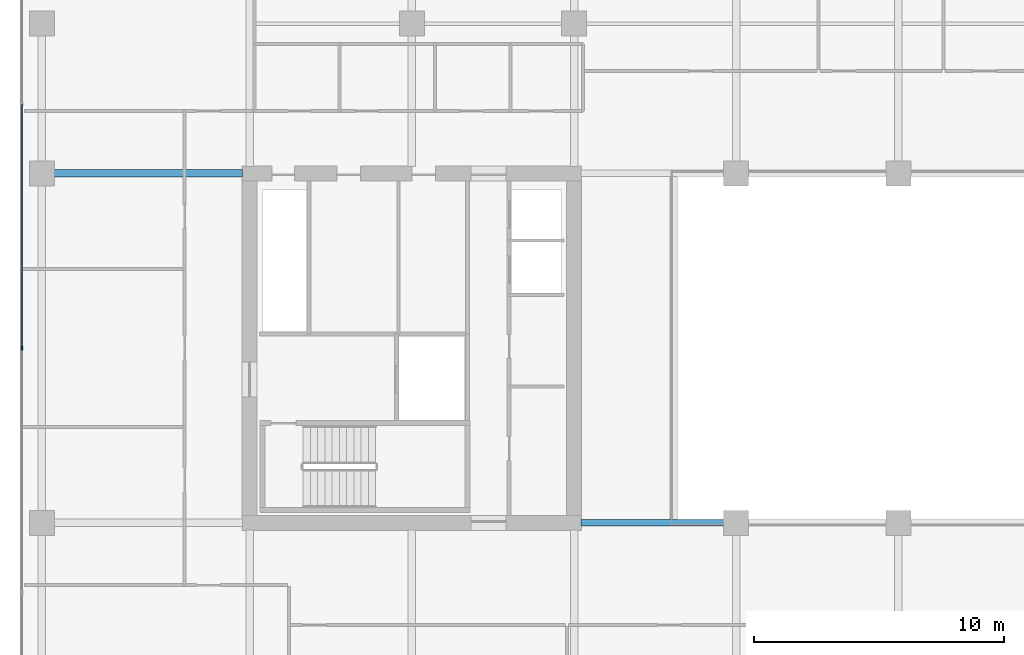
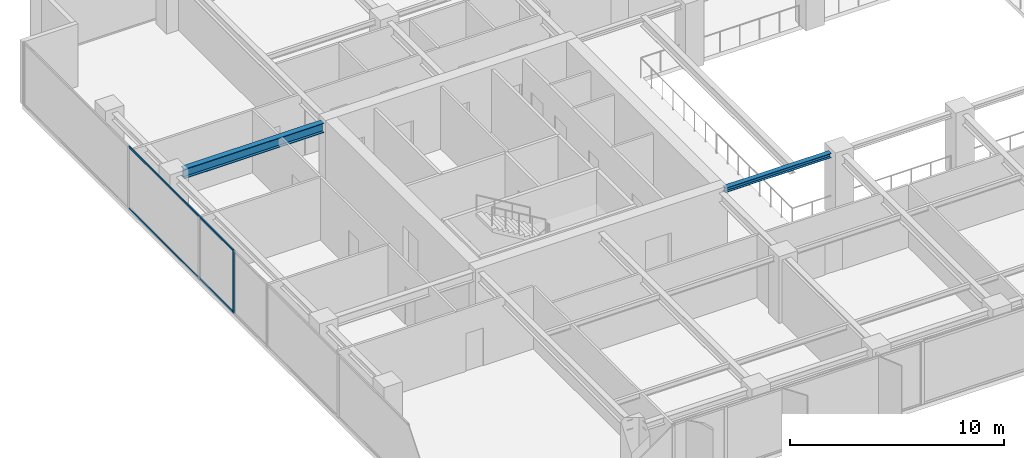
# One storey, part 4 of 22: 3 members, 2 beams, 1 element without a shape of its own.
"""IFC4 building model written with IfcOpenShell, lengths in metres."""

from ifc_helpers import new_model, si_unit, direction, frame, origin, origin_2d, place, context, subcontext, project, spatial, rectangle, i_section, extrude, material, layer, layer_set, material_profile, profile_set, type_object, element, aggregate, save


model = new_model("IFC4")

# Units and contexts
model_context = context("Model", 3, precision=1e-05, world=origin(), true_north=direction((0.0, 1.0)))
body_context = subcontext(model_context, "Body", "Model", "MODEL_VIEW")
ifc_project = project(units=[si_unit("LENGTHUNIT", "METRE"), si_unit("AREAUNIT", "SQUARE_METRE"), si_unit("VOLUMEUNIT", "CUBIC_METRE"), si_unit("PLANEANGLEUNIT", "RADIAN"), si_unit("MASSUNIT", "GRAM", prefix="KILO")], contexts=[model_context])

# Site, building, storey
site_placement = place(None, origin())
site = spatial("IfcSite", under=ifc_project, at=site_placement, CompositionType="ELEMENT")
building_placement = place(site_placement, origin())
building = spatial("IfcBuilding", under=site, at=building_placement, Name="Putna Gate Headquarters", CompositionType="ELEMENT")
storey_placement = place(building_placement, frame((0.0, 0.0, 186.0)))
storey = spatial("IfcBuildingStorey", under=building, at=storey_placement, Name="L46", CompositionType="ELEMENT", Elevation=186.0)

# Beams
ifc_material_1 = material(Name="Steel S355J2", Category="steel")
ifc_material_profile_1 = material_profile(ifc_material_1, i_section(OverallWidth=0.260009765625, OverallDepth=0.260009765625, WebThickness=0.010009765625, FlangeThickness=0.017578125, at=origin_2d()), Name="Steel S355J2")
ifc_profile_set_1 = profile_set([ifc_material_profile_1], Name="Steel S355J2")
beam_type_1 = type_object("IfcBeamType", Name="BM-ATRIUM-HEB260", PredefinedType="BEAM", material=ifc_profile_set_1)
beam_1_placement = place(storey_placement, frame((26.284912109375, 19.0, 3.44189453125), z_axis=(1.0, 0.0, 0.0), x_axis=(0.0, 1.0, 0.0)))
element("IfcBeam", 1, at=beam_1_placement, inside=storey, type_object=beam_type_1, Name="L46 Atrium Edge Beam AS1", PredefinedType="BEAM", context=body_context, shape_type="SweptSolid", body=[
    extrude(i_section(OverallWidth=0.260009765625, OverallDepth=0.260009765625, WebThickness=0.010009765625, FlangeThickness=0.017578125, at=origin_2d()), origin(), (0.0, 0.0, 1.0), 5.72705078125),
])
ifc_material_profile_2 = material_profile(ifc_material_1, i_section(OverallWidth=0.300048828125, OverallDepth=0.550048828125, WebThickness=0.014892578125, FlangeThickness=0.029052734375, at=origin_2d()), Name="Steel S355J2")
ifc_profile_set_2 = profile_set([ifc_material_profile_2], Name="Steel S355J2")
beam_type_2 = type_object("IfcBeamType", Name="BM-GIRD-Z3-HEB550", PredefinedType="USERDEFINED", material=ifc_profile_set_2)
beam_2_placement = place(storey_placement, frame((5.16796875, 33.0, 3.297119140625), z_axis=(1.0, 0.0, 0.0), x_axis=(0.0, 1.0, 0.0)))
element("IfcBeam", 2, at=beam_2_placement, inside=storey, type_object=beam_type_2, Name="L46 West Wing Girder Y33", ObjectType="GIRDER", PredefinedType="USERDEFINED", context=body_context, shape_type="SweptSolid", body=[
    extrude(i_section(OverallWidth=0.300048828125, OverallDepth=0.550048828125, WebThickness=0.014892578125, FlangeThickness=0.029052734375, at=origin_2d()), origin(), (0.0, 0.0, 1.0), 7.547119140625),
])

# Curtain wall, members
ifc_material_2 = material(Name="Anodised bronze aluminium curtain wall", Category="aluminium")
ifc_layer = layer(ifc_material_2, 0.159912109375)
ifc_layer_set = layer_set([ifc_layer], Name="Anodised bronze aluminium curtain wall")
curtain_wall_type = type_object("IfcCurtainWallType", Name="CW-SYS-Z3", PredefinedType="USERDEFINED", material=ifc_layer_set)
curtain_wall_placement = place(storey_placement, origin())
curtain_wall = element("IfcCurtainWall", 3, at=curtain_wall_placement, inside=storey, type_object=curtain_wall_type, Name="L46 West Curtain Wall", ObjectType="STICK CURTAIN WALL", PredefinedType="USERDEFINED")
ifc_material_3 = material(Name="Anodised bronze aluminium EN AW-6060", Category="aluminium")
ifc_material_profile_3 = material_profile(ifc_material_3, rectangle(XDim=0.06494140625, YDim=0.159912109375, at=origin_2d()), Name="Anodised bronze aluminium EN AW-6060")
ifc_profile_set_3 = profile_set([ifc_material_profile_3], Name="Anodised bronze aluminium EN AW-6060")
member_type_1 = type_object("IfcMemberType", Name="MULL-CWM-3", PredefinedType="MULLION", material=ifc_profile_set_3)
member_1_placement = place(storey_placement, frame((3.8798828125, 26.0, 0.0), z_axis=(0.0, 0.0, 1.0), x_axis=(-1.0, 0.0, 0.0)))
member_1 = element("IfcMember", 4, at=member_1_placement, type_object=member_type_1, Name="CWS-3 mullion 3", PredefinedType="MULLION", context=body_context, shape_type="SweptSolid", body=[
    extrude(rectangle(XDim=0.06494140625, YDim=0.159912109375, at=origin_2d()), origin(), (0.0, 0.0, 1.0), 3.572021484375),
])
ifc_material_profile_4 = material_profile(ifc_material_3, rectangle(XDim=0.06005859375, YDim=0.10009765625, at=origin_2d()), Name="Anodised bronze aluminium EN AW-6060")
ifc_profile_set_4 = profile_set([ifc_material_profile_4], Name="Anodised bronze aluminium EN AW-6060")
member_type_2 = type_object("IfcMemberType", Name="TRAN-CWT-3", PredefinedType="USERDEFINED", material=ifc_profile_set_4)
member_2_placement = place(storey_placement, frame((3.8798828125, 26.032470703125, 0.030029296875), z_axis=(0.0, 1.0, 0.0), x_axis=(-1.0, 0.0, 0.0)))
member_2 = element("IfcMember", 5, at=member_2_placement, type_object=member_type_2, Name="CWS-3 transom 3.1", ObjectType="TRANSOM", PredefinedType="USERDEFINED", context=body_context, shape_type="SweptSolid", body=[
    extrude(rectangle(XDim=0.06005859375, YDim=0.10009765625, at=origin_2d()), origin(), (0.0, 0.0, 1.0), 9.735107421875),
])
member_3_placement = place(storey_placement, frame((3.8798828125, 26.032470703125, 3.5419921875), z_axis=(0.0, 1.0, 0.0), x_axis=(-1.0, 0.0, 0.0)))
member_3 = element("IfcMember", 6, at=member_3_placement, type_object=member_type_2, Name="CWS-3 transom 3.2", ObjectType="TRANSOM", PredefinedType="USERDEFINED", context=body_context, shape_type="SweptSolid", body=[
    extrude(rectangle(XDim=0.06005859375, YDim=0.10009765625, at=origin_2d()), origin(), (0.0, 0.0, 1.0), 9.735107421875),
])
aggregate(curtain_wall, [member_1, member_2, member_3])

save(model, "model.ifc")
